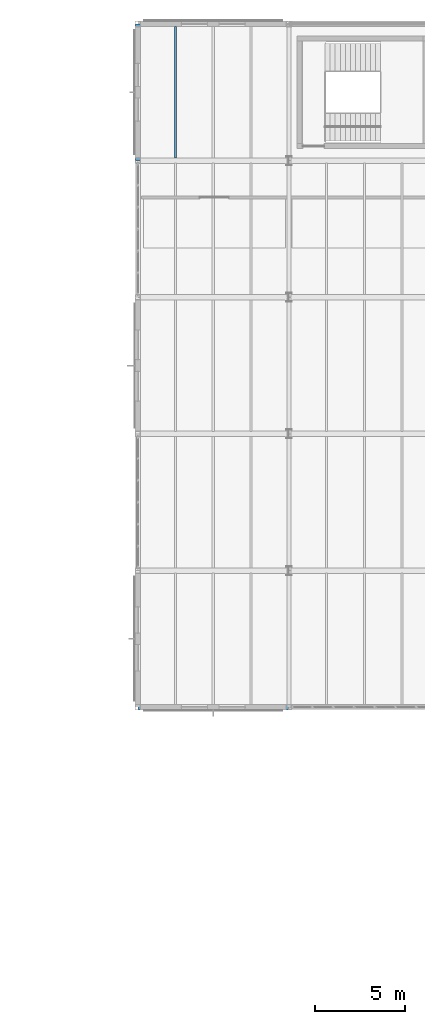
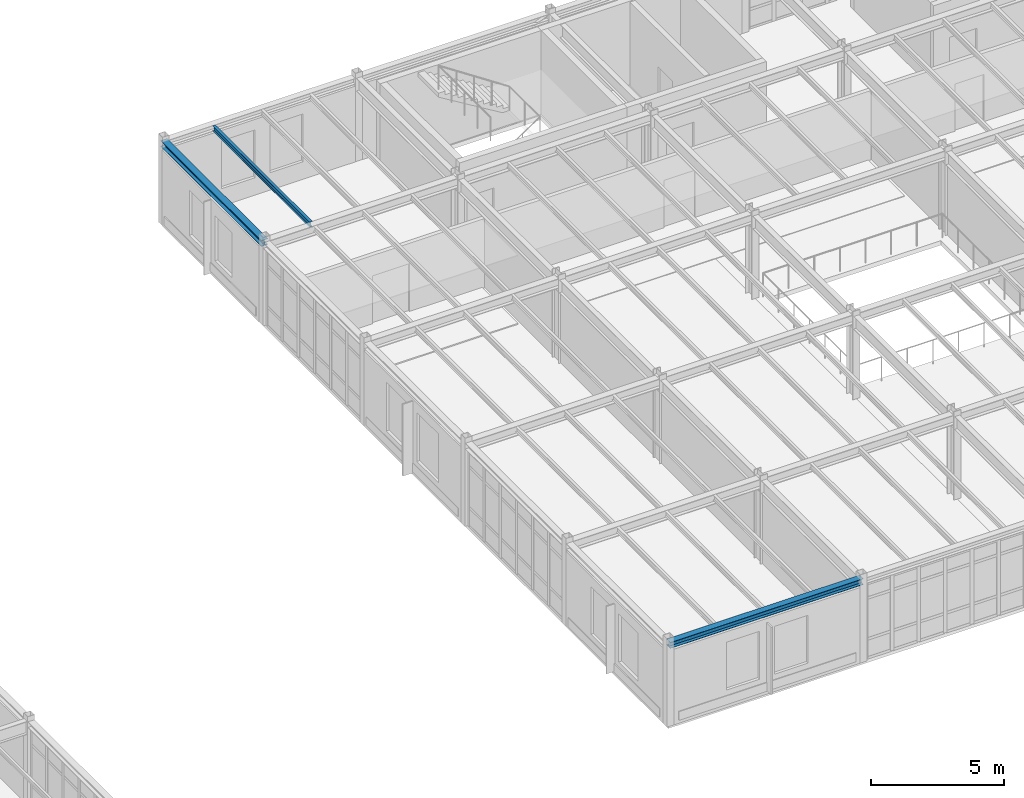
# One storey, part 80 of 165: 3 beams.
"""IFC4 building model written with IfcOpenShell, lengths in metres."""

from ifc_helpers import new_model, si_unit, direction, frame, origin, origin_2d, place, context, subcontext, project, spatial, i_section, extrude, material, material_profile, profile_set, type_object, element, save


model = new_model("IFC4")

# Units and contexts
model_context = context("Model", 3, precision=1e-05, world=origin(), true_north=direction((0.0, 1.0)))
body_context = subcontext(model_context, "Body", "Model", "MODEL_VIEW")
ifc_project = project(units=[si_unit("LENGTHUNIT", "METRE"), si_unit("AREAUNIT", "SQUARE_METRE"), si_unit("VOLUMEUNIT", "CUBIC_METRE"), si_unit("PLANEANGLEUNIT", "RADIAN"), si_unit("MASSUNIT", "GRAM", prefix="KILO")], contexts=[model_context])

# Site, building, storey
site_placement = place(None, origin())
site = spatial("IfcSite", under=ifc_project, at=site_placement, CompositionType="ELEMENT")
building_placement = place(site_placement, origin())
building = spatial("IfcBuilding", under=site, at=building_placement, Name="Montecoro Central Library", CompositionType="ELEMENT")
storey_placement = place(building_placement, frame((0.0, 0.0, 5.10009765625)))
storey = spatial("IfcBuildingStorey", under=building, at=storey_placement, Name="L01", CompositionType="ELEMENT", Elevation=5.10009765625)

# Beams
ifc_material = material(Name="Steel S355", Category="steel")
ifc_material_profile_1 = material_profile(ifc_material, i_section(OverallWidth=0.1201171875, OverallDepth=0.239990234375, WebThickness=0.006103515625, FlangeThickness=0.009765625, at=origin_2d()), Name="IPE 240")
ifc_profile_set_1 = profile_set([ifc_material_profile_1], Name="Steel S355")
beam_type_1 = type_object("IfcBeamType", Name="BM-J-IPE240", PredefinedType="JOIST", material=ifc_profile_set_1)
beam_1_placement = place(storey_placement, frame((68.5, 111.547119140625, 3.704833984375), z_axis=(0.0, 1.0, 0.0), x_axis=(-1.0, 0.0, 0.0)))
element("IfcBeam", 1, at=beam_1_placement, inside=storey, type_object=beam_type_1, Name="V2-L01-JS-910-QR-1", PredefinedType="JOIST", context=body_context, shape_type="SweptSolid", body=[
    extrude(i_section(OverallWidth=0.1201171875, OverallDepth=0.239990234375, WebThickness=0.006103515625, FlangeThickness=0.009765625, at=origin_2d()), origin(), (0.0, 0.0, 1.0), 7.31591796875),
])
ifc_material_profile_2 = material_profile(ifc_material, i_section(OverallWidth=0.280029296875, OverallDepth=0.27001953125, WebThickness=0.008056640625, FlangeThickness=0.012939453125, at=origin_2d()), Name="HEA 280")
ifc_profile_set_2 = profile_set([ifc_material_profile_2], Name="Steel S355")
beam_type_2 = type_object("IfcBeamType", Name="BM-SP-HEA280", PredefinedType="SPANDREL", material=ifc_profile_set_2)
beam_2_placement = place(storey_placement, frame((66.405029296875, 81.0, 3.68994140625), z_axis=(1.0, 0.0, 0.0), x_axis=(0.0, 1.0, 0.0)))
element("IfcBeam", 2, at=beam_2_placement, inside=storey, type_object=beam_type_2, Name="V2-L01-BX-910-L", PredefinedType="SPANDREL", context=body_context, shape_type="SweptSolid", body=[
    extrude(i_section(OverallWidth=0.280029296875, OverallDepth=0.27001953125, WebThickness=0.008056640625, FlangeThickness=0.012939453125, at=origin_2d()), origin(), (0.0, 0.0, 1.0), 8.389892578125),
])
beam_3_placement = place(storey_placement, frame((66.39990234375, 111.405029296875, 3.68994140625), z_axis=(0.0, 1.0, 0.0), x_axis=(-1.0, 0.0, 0.0)))
element("IfcBeam", 3, at=beam_3_placement, inside=storey, type_object=beam_type_2, Name="V2-L01-BY-9-QR", PredefinedType="SPANDREL", context=body_context, shape_type="SweptSolid", body=[
    extrude(i_section(OverallWidth=0.280029296875, OverallDepth=0.27001953125, WebThickness=0.008056640625, FlangeThickness=0.012939453125, at=origin_2d()), origin(), (0.0, 0.0, 1.0), 7.590087890625),
])

save(model, "model.ifc")
